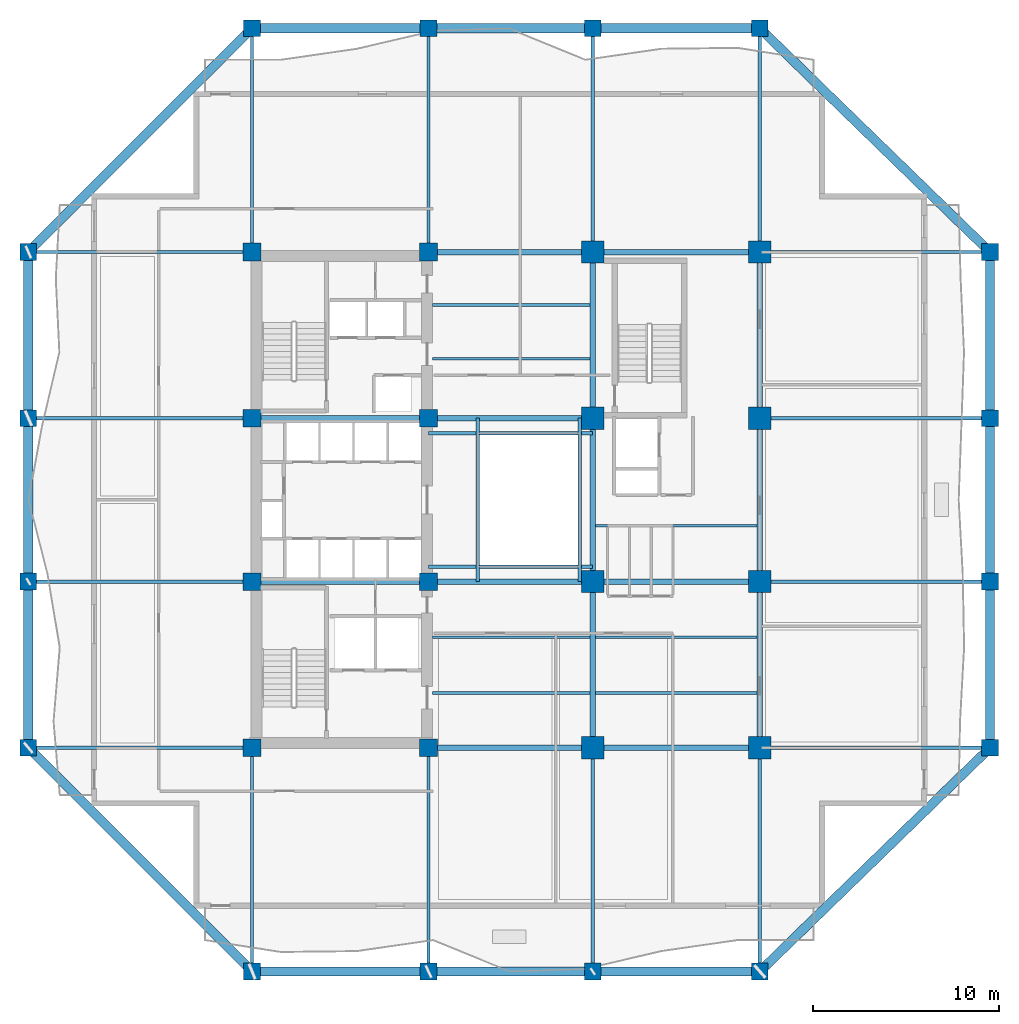
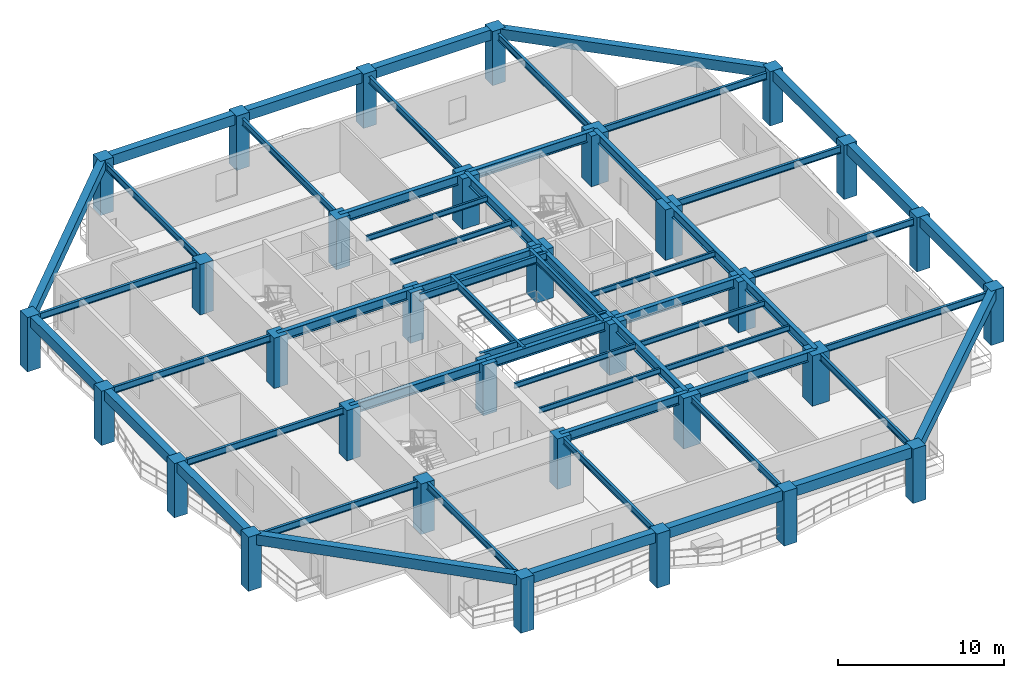
# One storey, part 1 of 12: 58 beams, 32 columns.
"""IFC4 building model written with IfcOpenShell, lengths in metres."""

from ifc_helpers import new_model, si_unit, direction, frame, origin, origin_2d, place, context, subcontext, project, spatial, rectangle, i_section, extrude, material, material_profile, profile_set, type_object, element, save


model = new_model("IFC4")

# Units and contexts
model_context = context("Model", 3, precision=1e-05, world=origin(), true_north=direction((0.0, 1.0)))
body_context = subcontext(model_context, "Body", "Model", "MODEL_VIEW")
ifc_project = project(units=[si_unit("LENGTHUNIT", "METRE"), si_unit("AREAUNIT", "SQUARE_METRE"), si_unit("VOLUMEUNIT", "CUBIC_METRE"), si_unit("PLANEANGLEUNIT", "RADIAN"), si_unit("MASSUNIT", "GRAM", prefix="KILO")], contexts=[model_context])

# Site, building, storey
site_placement = place(None, origin())
site = spatial("IfcSite", under=ifc_project, at=site_placement, CompositionType="ELEMENT")
building_placement = place(site_placement, origin())
building = spatial("IfcBuilding", under=site, at=building_placement, Name="Kundavana Baori Tower", CompositionType="ELEMENT")
storey_placement = place(building_placement, frame((0.0, 0.0, 46.0)))
storey = spatial("IfcBuildingStorey", under=building, at=storey_placement, Name="L10", CompositionType="ELEMENT", Elevation=46.0)

# Columns
ifc_material_1 = material(Name="Concrete C60/75", Category="concrete")
ifc_material_profile_1 = material_profile(ifc_material_1, rectangle(XDim=0.89990234375, YDim=0.89990234375, at=origin_2d()), Name="RC PF 900x900")
ifc_profile_set_1 = profile_set([ifc_material_profile_1], Name="Concrete C60/75")
column_type_1 = type_object("IfcColumnType", Name="COL-PF-900", PredefinedType="COLUMN", material=ifc_profile_set_1)
for number, where, z_axis, x_axis, name in (
    (1, (15.449951171875, 3.199951171875, 0.0), (0.0, 0.0, 1.0), (1.0, 0.0, 0.0), "L10 Stone-Clad Perimeter Frame Column PF-S1"),
    (2, (15.449951171875, 54.0, 0.0), (0.0, 0.0, 1.0), (1.0, 0.0, 0.0), "L10 Stone-Clad Perimeter Frame Column PF-N1"),
    (3, (24.949951171875, 3.199951171875, 0.0), (0.0, 0.0, 1.0), (1.0, 0.0, 0.0), "L10 Stone-Clad Perimeter Frame Column PF-S2"),
    (4, (24.949951171875, 54.0, 0.0), (0.0, 0.0, 1.0), (1.0, 0.0, 0.0), "L10 Stone-Clad Perimeter Frame Column PF-N2"),
    (5, (33.800048828125, 3.199951171875, 0.0), (0.0, 0.0, 1.0), (1.0, 0.0, 0.0), "L10 Stone-Clad Perimeter Frame Column PF-S3"),
    (6, (33.800048828125, 54.0, 0.0), (0.0, 0.0, 1.0), (1.0, 0.0, 0.0), "L10 Stone-Clad Perimeter Frame Column PF-N3"),
    (7, (42.800048828125, 3.199951171875, 0.0), (0.0, 0.0, 1.0), (1.0, 0.0, 0.0), "L10 Stone-Clad Perimeter Frame Column PF-S4"),
    (8, (42.800048828125, 54.0, 0.0), (0.0, 0.0, 1.0), (1.0, 0.0, 0.0), "L10 Stone-Clad Perimeter Frame Column PF-N4"),
    (9, (3.39990234375, 15.25, 0.0), (0.0, 0.0, 1.0), (1.0, 0.0, 0.0), "L10 Stone-Clad Perimeter Frame Column PF-W1"),
    (10, (55.199951171875, 15.25, 0.0), (0.0, 0.0, 1.0), (1.0, 0.0, 0.0), "L10 Stone-Clad Perimeter Frame Column PF-E1"),
    (11, (3.39990234375, 24.199951171875, 0.0), (0.0, 0.0, 1.0), (1.0, 0.0, 0.0), "L10 Stone-Clad Perimeter Frame Column PF-W2"),
    (12, (55.199951171875, 24.199951171875, 0.0), (0.0, 0.0, 1.0), (1.0, 0.0, 0.0), "L10 Stone-Clad Perimeter Frame Column PF-E2"),
    (13, (3.39990234375, 33.0, 0.0), (0.0, 0.0, 1.0), (1.0, 0.0, 0.0), "L10 Stone-Clad Perimeter Frame Column PF-W3"),
    (14, (55.199951171875, 33.0, 0.0), (0.0, 0.0, 1.0), (1.0, 0.0, 0.0), "L10 Stone-Clad Perimeter Frame Column PF-E3"),
    (15, (3.39990234375, 41.949951171875, 0.0), (0.0, 0.0, 1.0), (1.0, 0.0, 0.0), "L10 Stone-Clad Perimeter Frame Column PF-W4"),
    (16, (55.199951171875, 41.949951171875, 0.0), (0.0, 0.0, 1.0), (1.0, 0.0, 0.0), "L10 Stone-Clad Perimeter Frame Column PF-E4"),
):
    element("IfcColumn", number, at=place(storey_placement, frame(where, z_axis=z_axis, x_axis=x_axis)), inside=storey, type_object=column_type_1, Name=name, PredefinedType="COLUMN", context=body_context, shape_type="SweptSolid", body=[
        extrude(rectangle(XDim=0.89990234375, YDim=0.89990234375, at=origin_2d()), origin(), (0.0, 0.0, 1.0), 4.0),
    ])
ifc_material_2 = material(Name="Concrete C60/75", Category="concrete")
ifc_material_profile_2 = material_profile(ifc_material_2, rectangle(XDim=1.199951171875, YDim=1.199951171875, at=origin_2d()), Name="RC 1200x1200")
ifc_profile_set_2 = profile_set([ifc_material_profile_2], Name="Concrete C60/75")
column_type_2 = type_object("IfcColumnType", Name="COL-RC-1200", PredefinedType="COLUMN", material=ifc_profile_set_2)
for number, where, z_axis, x_axis, name in (
    (17, (33.800048828125, 15.25, 0.0), (0.0, 0.0, 1.0), (1.0, 0.0, 0.0), "L10 Interior Column IC-5C"),
    (18, (33.800048828125, 24.199951171875, 0.0), (0.0, 0.0, 1.0), (1.0, 0.0, 0.0), "L10 Interior Column IC-5D"),
    (19, (33.800048828125, 33.0, 0.0), (0.0, 0.0, 1.0), (1.0, 0.0, 0.0), "L10 Interior Column IC-5E"),
    (20, (33.800048828125, 41.949951171875, 0.0), (0.0, 0.0, 1.0), (1.0, 0.0, 0.0), "L10 Interior Column IC-5F"),
    (21, (42.800048828125, 15.25, 0.0), (0.0, 0.0, 1.0), (1.0, 0.0, 0.0), "L10 Interior Column IC-6C"),
    (22, (42.800048828125, 24.199951171875, 0.0), (0.0, 0.0, 1.0), (1.0, 0.0, 0.0), "L10 Interior Column IC-6D"),
    (23, (42.800048828125, 33.0, 0.0), (0.0, 0.0, 1.0), (1.0, 0.0, 0.0), "L10 Interior Column IC-6E"),
    (24, (42.800048828125, 41.949951171875, 0.0), (0.0, 0.0, 1.0), (1.0, 0.0, 0.0), "L10 Interior Column IC-6F"),
):
    element("IfcColumn", number, at=place(storey_placement, frame(where, z_axis=z_axis, x_axis=x_axis)), inside=storey, type_object=column_type_2, Name=name, PredefinedType="COLUMN", context=body_context, shape_type="SweptSolid", body=[
        extrude(rectangle(XDim=1.199951171875, YDim=1.199951171875, at=origin_2d()), origin(), (0.0, 0.0, 1.0), 3.719970703125),
    ])
ifc_material_3 = material(Name="Concrete C50/60", Category="concrete")
ifc_material_profile_3 = material_profile(ifc_material_3, rectangle(XDim=0.949951171875, YDim=0.949951171875, at=origin_2d()), Name="RC 950x950")
ifc_profile_set_3 = profile_set([ifc_material_profile_3], Name="Concrete C50/60")
column_type_3 = type_object("IfcColumnType", Name="COL-RC-950", PredefinedType="COLUMN", material=ifc_profile_set_3)
for number, where, z_axis, x_axis, name in (
    (25, (15.449951171875, 15.25, 0.0), (0.0, 0.0, 1.0), (1.0, 0.0, 0.0), "L10 Interior Column IC-3C"),
    (26, (15.449951171875, 24.199951171875, 0.0), (0.0, 0.0, 1.0), (1.0, 0.0, 0.0), "L10 Interior Column IC-3D"),
    (27, (15.449951171875, 33.0, 0.0), (0.0, 0.0, 1.0), (1.0, 0.0, 0.0), "L10 Interior Column IC-3E"),
    (28, (15.449951171875, 41.949951171875, 0.0), (0.0, 0.0, 1.0), (1.0, 0.0, 0.0), "L10 Interior Column IC-3F"),
    (29, (24.949951171875, 15.25, 0.0), (0.0, 0.0, 1.0), (1.0, 0.0, 0.0), "L10 Interior Column IC-4C"),
    (30, (24.949951171875, 24.199951171875, 0.0), (0.0, 0.0, 1.0), (1.0, 0.0, 0.0), "L10 Interior Column IC-4D"),
    (31, (24.949951171875, 33.0, 0.0), (0.0, 0.0, 1.0), (1.0, 0.0, 0.0), "L10 Interior Column IC-4E"),
    (32, (24.949951171875, 41.949951171875, 0.0), (0.0, 0.0, 1.0), (1.0, 0.0, 0.0), "L10 Interior Column IC-4F"),
):
    element("IfcColumn", number, at=place(storey_placement, frame(where, z_axis=z_axis, x_axis=x_axis)), inside=storey, type_object=column_type_3, Name=name, PredefinedType="COLUMN", context=body_context, shape_type="SweptSolid", body=[
        extrude(rectangle(XDim=0.949951171875, YDim=0.949951171875, at=origin_2d()), origin(), (0.0, 0.0, 1.0), 3.719970703125),
    ])

# Beams
ifc_material_4 = material(Name="Structural Steel S355JR", Category="steel")
ifc_material_profile_4 = material_profile(ifc_material_4, i_section(OverallWidth=0.139892578125, OverallDepth=0.39990234375, WebThickness=0.0087890625, FlangeThickness=0.01611328125, FilletRadius=0.013916015625, at=origin_2d()), Name="ISMB 400")
ifc_profile_set_4 = profile_set([ifc_material_profile_4], Name="Structural Steel S355JR")
beam_type_1 = type_object("IfcBeamType", Name="BM-JST-400", PredefinedType="JOIST", material=ifc_profile_set_4)
for number, where, z_axis, x_axis, name in (
    (33, (25.179931640625, 18.199951171875, 3.52001953125), (1.0, 0.0, 0.0), (0.0, 1.0, 0.0), "L10 Central Bay Composite Floor Joist C1"),
    (34, (25.179931640625, 21.199951171875, 3.52001953125), (1.0, 0.0, 0.0), (0.0, 1.0, 0.0), "L10 Central Bay Composite Floor Joist C2"),
    (35, (25.179931640625, 36.199951171875, 3.52001953125), (1.0, 0.0, 0.0), (0.0, 1.0, 0.0), "L10 Central Bay Composite Floor Joist C3"),
    (36, (25.179931640625, 39.10009765625, 3.52001953125), (1.0, 0.0, 0.0), (0.0, 1.0, 0.0), "L10 Central Bay Composite Floor Joist C4"),
):
    element("IfcBeam", number, at=place(storey_placement, frame(where, z_axis=z_axis, x_axis=x_axis)), inside=storey, type_object=beam_type_1, Name=name, PredefinedType="JOIST", context=body_context, shape_type="SweptSolid", body=[
        extrude(i_section(OverallWidth=0.139892578125, OverallDepth=0.39990234375, WebThickness=0.0087890625, FlangeThickness=0.01611328125, FilletRadius=0.013916015625, at=origin_2d()), origin(), (0.0, 0.0, 1.0), 8.469970703125),
    ])
for number, where, z_axis, x_axis, name in (
    (37, (33.949951171875, 18.199951171875, 3.52001953125), (1.0, 0.0, 0.0), (0.0, 1.0, 0.0), "L10 East Bay Composite Floor Joist E1"),
    (38, (33.949951171875, 21.199951171875, 3.52001953125), (1.0, 0.0, 0.0), (0.0, 1.0, 0.0), "L10 East Bay Composite Floor Joist E2"),
    (39, (33.949951171875, 27.199951171875, 3.52001953125), (1.0, 0.0, 0.0), (0.0, 1.0, 0.0), "L10 East Bay Composite Floor Joist E3"),
):
    element("IfcBeam", number, at=place(storey_placement, frame(where, z_axis=z_axis, x_axis=x_axis)), inside=storey, type_object=beam_type_1, Name=name, PredefinedType="JOIST", context=body_context, shape_type="SweptSolid", body=[
        extrude(i_section(OverallWidth=0.139892578125, OverallDepth=0.39990234375, WebThickness=0.0087890625, FlangeThickness=0.01611328125, FilletRadius=0.013916015625, at=origin_2d()), origin(), (0.0, 0.0, 1.0), 8.699951171875),
    ])
ifc_material_5 = material(Name="Concrete C50/60", Category="concrete")
ifc_material_profile_5 = material_profile(ifc_material_5, rectangle(XDim=0.5, YDim=0.75, at=origin_2d()), Name="RC BM 500x750")
ifc_profile_set_5 = profile_set([ifc_material_profile_5], Name="Concrete C50/60")
beam_type_2 = type_object("IfcBeamType", Name="BM-PF-750", PredefinedType="SPANDREL", material=ifc_profile_set_5)
beam_1_placement = place(storey_placement, frame((15.449951171875, 3.199951171875, 3.625), z_axis=(1.0, 0.0, 0.0), x_axis=(0.0, 1.0, 0.0)))
element("IfcBeam", 40, at=beam_1_placement, inside=storey, type_object=beam_type_2, Name="L10 Perimeter Frame Ring Beam S1", PredefinedType="SPANDREL", context=body_context, shape_type="SweptSolid", body=[
    extrude(rectangle(XDim=0.5, YDim=0.75, at=origin_2d()), origin(), (0.0, 0.0, 1.0), 9.5),
])
beam_2_placement = place(storey_placement, frame((24.949951171875, 3.199951171875, 3.625), z_axis=(1.0, 0.0, 0.0), x_axis=(0.0, 1.0, 0.0)))
element("IfcBeam", 41, at=beam_2_placement, inside=storey, type_object=beam_type_2, Name="L10 Perimeter Frame Ring Beam S2", PredefinedType="SPANDREL", context=body_context, shape_type="SweptSolid", body=[
    extrude(rectangle(XDim=0.5, YDim=0.75, at=origin_2d()), origin(), (0.0, 0.0, 1.0), 8.85009765625),
])
beam_3_placement = place(storey_placement, frame((33.800048828125, 3.199951171875, 3.625), z_axis=(1.0, 0.0, 0.0), x_axis=(0.0, 1.0, 0.0)))
element("IfcBeam", 42, at=beam_3_placement, inside=storey, type_object=beam_type_2, Name="L10 Perimeter Frame Ring Beam S3", PredefinedType="SPANDREL", context=body_context, shape_type="SweptSolid", body=[
    extrude(rectangle(XDim=0.5, YDim=0.75, at=origin_2d()), origin(), (0.0, 0.0, 1.0), 9.0),
])
beam_4_placement = place(storey_placement, frame((15.449951171875, 54.0, 3.625), z_axis=(1.0, 0.0, 0.0), x_axis=(0.0, 1.0, 0.0)))
element("IfcBeam", 43, at=beam_4_placement, inside=storey, type_object=beam_type_2, Name="L10 Perimeter Frame Ring Beam N1", PredefinedType="SPANDREL", context=body_context, shape_type="SweptSolid", body=[
    extrude(rectangle(XDim=0.5, YDim=0.75, at=origin_2d()), origin(), (0.0, 0.0, 1.0), 9.5),
])
beam_5_placement = place(storey_placement, frame((24.949951171875, 54.0, 3.625), z_axis=(1.0, 0.0, 0.0), x_axis=(0.0, 1.0, 0.0)))
element("IfcBeam", 44, at=beam_5_placement, inside=storey, type_object=beam_type_2, Name="L10 Perimeter Frame Ring Beam N2", PredefinedType="SPANDREL", context=body_context, shape_type="SweptSolid", body=[
    extrude(rectangle(XDim=0.5, YDim=0.75, at=origin_2d()), origin(), (0.0, 0.0, 1.0), 8.85009765625),
])
beam_6_placement = place(storey_placement, frame((33.800048828125, 54.0, 3.625), z_axis=(1.0, 0.0, 0.0), x_axis=(0.0, 1.0, 0.0)))
element("IfcBeam", 45, at=beam_6_placement, inside=storey, type_object=beam_type_2, Name="L10 Perimeter Frame Ring Beam N3", PredefinedType="SPANDREL", context=body_context, shape_type="SweptSolid", body=[
    extrude(rectangle(XDim=0.5, YDim=0.75, at=origin_2d()), origin(), (0.0, 0.0, 1.0), 9.0),
])
beam_7_placement = place(storey_placement, frame((3.39990234375, 15.25, 3.625), z_axis=(0.0, 1.0, 0.0), x_axis=(-1.0, 0.0, 0.0)))
element("IfcBeam", 46, at=beam_7_placement, inside=storey, type_object=beam_type_2, Name="L10 Perimeter Frame Ring Beam W1", PredefinedType="SPANDREL", context=body_context, shape_type="SweptSolid", body=[
    extrude(rectangle(XDim=0.5, YDim=0.75, at=origin_2d()), origin(), (0.0, 0.0, 1.0), 8.949951171875),
])
beam_8_placement = place(storey_placement, frame((3.39990234375, 24.199951171875, 3.625), z_axis=(0.0, 1.0, 0.0), x_axis=(-1.0, 0.0, 0.0)))
element("IfcBeam", 47, at=beam_8_placement, inside=storey, type_object=beam_type_2, Name="L10 Perimeter Frame Ring Beam W2", PredefinedType="SPANDREL", context=body_context, shape_type="SweptSolid", body=[
    extrude(rectangle(XDim=0.5, YDim=0.75, at=origin_2d()), origin(), (0.0, 0.0, 1.0), 8.800048828125),
])
for number, where, z_axis, x_axis, name in (
    (48, (3.39990234375, 33.0, 3.625), (0.0, 1.0, 0.0), (-1.0, 0.0, 0.0), "L10 Perimeter Frame Ring Beam W3"),
    (49, (55.199951171875, 15.25, 3.625), (0.0, 1.0, 0.0), (-1.0, 0.0, 0.0), "L10 Perimeter Frame Ring Beam E1"),
):
    element("IfcBeam", number, at=place(storey_placement, frame(where, z_axis=z_axis, x_axis=x_axis)), inside=storey, type_object=beam_type_2, Name=name, PredefinedType="SPANDREL", context=body_context, shape_type="SweptSolid", body=[
        extrude(rectangle(XDim=0.5, YDim=0.75, at=origin_2d()), origin(), (0.0, 0.0, 1.0), 8.949951171875),
    ])
beam_9_placement = place(storey_placement, frame((55.199951171875, 24.199951171875, 3.625), z_axis=(0.0, 1.0, 0.0), x_axis=(-1.0, 0.0, 0.0)))
element("IfcBeam", 50, at=beam_9_placement, inside=storey, type_object=beam_type_2, Name="L10 Perimeter Frame Ring Beam E2", PredefinedType="SPANDREL", context=body_context, shape_type="SweptSolid", body=[
    extrude(rectangle(XDim=0.5, YDim=0.75, at=origin_2d()), origin(), (0.0, 0.0, 1.0), 8.800048828125),
])
beam_10_placement = place(storey_placement, frame((55.199951171875, 33.0, 3.625), z_axis=(0.0, 1.0, 0.0), x_axis=(-1.0, 0.0, 0.0)))
element("IfcBeam", 51, at=beam_10_placement, inside=storey, type_object=beam_type_2, Name="L10 Perimeter Frame Ring Beam E3", PredefinedType="SPANDREL", context=body_context, shape_type="SweptSolid", body=[
    extrude(rectangle(XDim=0.5, YDim=0.75, at=origin_2d()), origin(), (0.0, 0.0, 1.0), 8.949951171875),
])
beam_11_placement = place(storey_placement, frame((15.449951171875, 3.199951171875, 3.625), z_axis=(-0.707106781187, 0.707106781187, 0.0), x_axis=(-0.707106781187, -0.707106781187, 0.0)))
element("IfcBeam", 52, at=beam_11_placement, inside=storey, type_object=beam_type_2, Name="L10 Notched Corner Perimeter Beam SW", PredefinedType="SPANDREL", context=body_context, shape_type="SweptSolid", body=[
    extrude(rectangle(XDim=0.5, YDim=0.75, at=origin_2d()), origin(), (0.0, 0.0, 1.0), 17.041259765625),
])
beam_12_placement = place(storey_placement, frame((42.800048828125, 3.199951171875, 3.625), z_axis=(0.717151334594, 0.696917472367, 0.0), x_axis=(-0.696917472367, 0.717151334594, 0.0)))
element("IfcBeam", 53, at=beam_12_placement, inside=storey, type_object=beam_type_2, Name="L10 Notched Corner Perimeter Beam SE", PredefinedType="SPANDREL", context=body_context, shape_type="SweptSolid", body=[
    extrude(rectangle(XDim=0.5, YDim=0.75, at=origin_2d()), origin(), (0.0, 0.0, 1.0), 17.29052734375),
])
beam_13_placement = place(storey_placement, frame((15.449951171875, 54.0, 3.625), z_axis=(-0.707106781187, -0.707106781187, 0.0), x_axis=(0.707106781187, -0.707106781187, 0.0)))
element("IfcBeam", 54, at=beam_13_placement, inside=storey, type_object=beam_type_2, Name="L10 Notched Corner Perimeter Beam NW", PredefinedType="SPANDREL", context=body_context, shape_type="SweptSolid", body=[
    extrude(rectangle(XDim=0.5, YDim=0.75, at=origin_2d()), origin(), (0.0, 0.0, 1.0), 17.041259765625),
])
beam_14_placement = place(storey_placement, frame((42.800048828125, 54.0, 3.625), z_axis=(0.717151334594, -0.696917472367, 0.0), x_axis=(0.696917472367, 0.717151334594, 0.0)))
element("IfcBeam", 55, at=beam_14_placement, inside=storey, type_object=beam_type_2, Name="L10 Notched Corner Perimeter Beam NE", PredefinedType="SPANDREL", context=body_context, shape_type="SweptSolid", body=[
    extrude(rectangle(XDim=0.5, YDim=0.75, at=origin_2d()), origin(), (0.0, 0.0, 1.0), 17.29052734375),
])
ifc_material_6 = material(Name="Structural Steel S355JR", Category="steel")
ifc_material_profile_6 = material_profile(ifc_material_6, i_section(OverallWidth=0.18994140625, OverallDepth=0.550048828125, WebThickness=0.01123046875, FlangeThickness=0.019287109375, FilletRadius=0.01806640625, at=origin_2d()), Name="ISMB 550")
ifc_profile_set_6 = profile_set([ifc_material_profile_6], Name="Structural Steel S355JR")
beam_type_3 = type_object("IfcBeamType", Name="BM-ST-550", PredefinedType="BEAM", material=ifc_profile_set_6)
for number, where, z_axis, x_axis, name in (
    (56, (27.60009765625, 24.199951171875, 3.445068359375), (0.0, 1.0, 0.0), (-1.0, 0.0, 0.0), "L10 Atrium West Edge Beam"),
    (57, (33.10009765625, 24.199951171875, 3.445068359375), (0.0, 1.0, 0.0), (-1.0, 0.0, 0.0), "L10 Atrium East Edge Beam"),
):
    element("IfcBeam", number, at=place(storey_placement, frame(where, z_axis=z_axis, x_axis=x_axis)), inside=storey, type_object=beam_type_3, Name=name, PredefinedType="BEAM", context=body_context, shape_type="SweptSolid", body=[
        extrude(i_section(OverallWidth=0.18994140625, OverallDepth=0.550048828125, WebThickness=0.01123046875, FlangeThickness=0.019287109375, FilletRadius=0.01806640625, at=origin_2d()), origin(), (0.0, 0.0, 1.0), 8.800048828125),
    ])
for number, where, z_axis, x_axis, name in (
    (58, (24.949951171875, 25.0, 3.445068359375), (1.0, 0.0, 0.0), (0.0, 1.0, 0.0), "L10 Atrium South Edge Beam"),
    (59, (24.949951171875, 32.199951171875, 3.445068359375), (1.0, 0.0, 0.0), (0.0, 1.0, 0.0), "L10 Atrium North Edge Beam"),
):
    element("IfcBeam", number, at=place(storey_placement, frame(where, z_axis=z_axis, x_axis=x_axis)), inside=storey, type_object=beam_type_3, Name=name, PredefinedType="BEAM", context=body_context, shape_type="SweptSolid", body=[
        extrude(i_section(OverallWidth=0.18994140625, OverallDepth=0.550048828125, WebThickness=0.01123046875, FlangeThickness=0.019287109375, FilletRadius=0.01806640625, at=origin_2d()), origin(), (0.0, 0.0, 1.0), 8.85009765625),
    ])
ifc_material_7 = material(Name="Structural Steel S355JR", Category="steel")
ifc_material_profile_7 = material_profile(ifc_material_7, i_section(OverallWidth=0.300048828125, OverallDepth=0.699951171875, WebThickness=0.014404296875, FlangeThickness=0.02392578125, FilletRadius=0.02392578125, at=origin_2d()), Name="NPB 700x300x170")
ifc_profile_set_7 = profile_set([ifc_material_profile_7], Name="Structural Steel S355JR")
beam_type_4 = type_object("IfcBeamType", Name="BM-ST-700", PredefinedType="BEAM", material=ifc_profile_set_7)
beam_15_placement = place(storey_placement, frame((24.949951171875, 15.25, 3.3701171875), z_axis=(1.0, 0.0, 0.0), x_axis=(0.0, 1.0, 0.0)))
element("IfcBeam", 60, at=beam_15_placement, inside=storey, type_object=beam_type_4, Name="L10 Primary Grid Girder GX-1-2", PredefinedType="BEAM", context=body_context, shape_type="SweptSolid", body=[
    extrude(i_section(OverallWidth=0.300048828125, OverallDepth=0.699951171875, WebThickness=0.014404296875, FlangeThickness=0.02392578125, FilletRadius=0.02392578125, at=origin_2d()), origin(), (0.0, 0.0, 1.0), 8.85009765625),
])
beam_16_placement = place(storey_placement, frame((33.800048828125, 15.25, 3.3701171875), z_axis=(1.0, 0.0, 0.0), x_axis=(0.0, 1.0, 0.0)))
element("IfcBeam", 61, at=beam_16_placement, inside=storey, type_object=beam_type_4, Name="L10 Primary Grid Girder GX-1-3", PredefinedType="BEAM", context=body_context, shape_type="SweptSolid", body=[
    extrude(i_section(OverallWidth=0.300048828125, OverallDepth=0.699951171875, WebThickness=0.014404296875, FlangeThickness=0.02392578125, FilletRadius=0.02392578125, at=origin_2d()), origin(), (0.0, 0.0, 1.0), 9.0),
])
beam_17_placement = place(storey_placement, frame((15.449951171875, 24.199951171875, 3.3701171875), z_axis=(1.0, 0.0, 0.0), x_axis=(0.0, 1.0, 0.0)))
element("IfcBeam", 62, at=beam_17_placement, inside=storey, type_object=beam_type_4, Name="L10 Primary Grid Girder GX-2-1", PredefinedType="BEAM", context=body_context, shape_type="SweptSolid", body=[
    extrude(i_section(OverallWidth=0.300048828125, OverallDepth=0.699951171875, WebThickness=0.014404296875, FlangeThickness=0.02392578125, FilletRadius=0.02392578125, at=origin_2d()), origin(), (0.0, 0.0, 1.0), 9.5),
])
beam_18_placement = place(storey_placement, frame((24.949951171875, 24.199951171875, 3.3701171875), z_axis=(1.0, 0.0, 0.0), x_axis=(0.0, 1.0, 0.0)))
element("IfcBeam", 63, at=beam_18_placement, inside=storey, type_object=beam_type_4, Name="L10 Primary Grid Girder GX-2-2", PredefinedType="BEAM", context=body_context, shape_type="SweptSolid", body=[
    extrude(i_section(OverallWidth=0.300048828125, OverallDepth=0.699951171875, WebThickness=0.014404296875, FlangeThickness=0.02392578125, FilletRadius=0.02392578125, at=origin_2d()), origin(), (0.0, 0.0, 1.0), 8.85009765625),
])
beam_19_placement = place(storey_placement, frame((33.800048828125, 24.199951171875, 3.3701171875), z_axis=(1.0, 0.0, 0.0), x_axis=(0.0, 1.0, 0.0)))
element("IfcBeam", 64, at=beam_19_placement, inside=storey, type_object=beam_type_4, Name="L10 Primary Grid Girder GX-2-3", PredefinedType="BEAM", context=body_context, shape_type="SweptSolid", body=[
    extrude(i_section(OverallWidth=0.300048828125, OverallDepth=0.699951171875, WebThickness=0.014404296875, FlangeThickness=0.02392578125, FilletRadius=0.02392578125, at=origin_2d()), origin(), (0.0, 0.0, 1.0), 9.0),
])
beam_20_placement = place(storey_placement, frame((15.449951171875, 33.0, 3.3701171875), z_axis=(1.0, 0.0, 0.0), x_axis=(0.0, 1.0, 0.0)))
element("IfcBeam", 65, at=beam_20_placement, inside=storey, type_object=beam_type_4, Name="L10 Primary Grid Girder GX-3-1", PredefinedType="BEAM", context=body_context, shape_type="SweptSolid", body=[
    extrude(i_section(OverallWidth=0.300048828125, OverallDepth=0.699951171875, WebThickness=0.014404296875, FlangeThickness=0.02392578125, FilletRadius=0.02392578125, at=origin_2d()), origin(), (0.0, 0.0, 1.0), 9.5),
])
for number, where, z_axis, x_axis, name in (
    (66, (24.949951171875, 33.0, 3.3701171875), (1.0, 0.0, 0.0), (0.0, 1.0, 0.0), "L10 Primary Grid Girder GX-3-2"),
    (67, (24.949951171875, 41.949951171875, 3.3701171875), (1.0, 0.0, 0.0), (0.0, 1.0, 0.0), "L10 Primary Grid Girder GX-4-2"),
):
    element("IfcBeam", number, at=place(storey_placement, frame(where, z_axis=z_axis, x_axis=x_axis)), inside=storey, type_object=beam_type_4, Name=name, PredefinedType="BEAM", context=body_context, shape_type="SweptSolid", body=[
        extrude(i_section(OverallWidth=0.300048828125, OverallDepth=0.699951171875, WebThickness=0.014404296875, FlangeThickness=0.02392578125, FilletRadius=0.02392578125, at=origin_2d()), origin(), (0.0, 0.0, 1.0), 8.85009765625),
    ])
beam_21_placement = place(storey_placement, frame((33.800048828125, 41.949951171875, 3.3701171875), z_axis=(1.0, 0.0, 0.0), x_axis=(0.0, 1.0, 0.0)))
element("IfcBeam", 68, at=beam_21_placement, inside=storey, type_object=beam_type_4, Name="L10 Primary Grid Girder GX-4-3", PredefinedType="BEAM", context=body_context, shape_type="SweptSolid", body=[
    extrude(i_section(OverallWidth=0.300048828125, OverallDepth=0.699951171875, WebThickness=0.014404296875, FlangeThickness=0.02392578125, FilletRadius=0.02392578125, at=origin_2d()), origin(), (0.0, 0.0, 1.0), 9.0),
])
beam_22_placement = place(storey_placement, frame((33.800048828125, 15.25, 3.3701171875), z_axis=(0.0, 1.0, 0.0), x_axis=(-1.0, 0.0, 0.0)))
element("IfcBeam", 69, at=beam_22_placement, inside=storey, type_object=beam_type_4, Name="L10 Primary Grid Girder GY-3-1", PredefinedType="BEAM", context=body_context, shape_type="SweptSolid", body=[
    extrude(i_section(OverallWidth=0.300048828125, OverallDepth=0.699951171875, WebThickness=0.014404296875, FlangeThickness=0.02392578125, FilletRadius=0.02392578125, at=origin_2d()), origin(), (0.0, 0.0, 1.0), 8.949951171875),
])
beam_23_placement = place(storey_placement, frame((33.800048828125, 24.199951171875, 3.3701171875), z_axis=(0.0, 1.0, 0.0), x_axis=(-1.0, 0.0, 0.0)))
element("IfcBeam", 70, at=beam_23_placement, inside=storey, type_object=beam_type_4, Name="L10 Primary Grid Girder GY-3-2", PredefinedType="BEAM", context=body_context, shape_type="SweptSolid", body=[
    extrude(i_section(OverallWidth=0.300048828125, OverallDepth=0.699951171875, WebThickness=0.014404296875, FlangeThickness=0.02392578125, FilletRadius=0.02392578125, at=origin_2d()), origin(), (0.0, 0.0, 1.0), 8.800048828125),
])
for number, where, z_axis, x_axis, name in (
    (71, (33.800048828125, 33.0, 3.3701171875), (0.0, 1.0, 0.0), (-1.0, 0.0, 0.0), "L10 Primary Grid Girder GY-3-3"),
    (72, (42.800048828125, 15.25, 3.3701171875), (0.0, 1.0, 0.0), (-1.0, 0.0, 0.0), "L10 Primary Grid Girder GY-4-1"),
):
    element("IfcBeam", number, at=place(storey_placement, frame(where, z_axis=z_axis, x_axis=x_axis)), inside=storey, type_object=beam_type_4, Name=name, PredefinedType="BEAM", context=body_context, shape_type="SweptSolid", body=[
        extrude(i_section(OverallWidth=0.300048828125, OverallDepth=0.699951171875, WebThickness=0.014404296875, FlangeThickness=0.02392578125, FilletRadius=0.02392578125, at=origin_2d()), origin(), (0.0, 0.0, 1.0), 8.949951171875),
    ])
beam_24_placement = place(storey_placement, frame((42.800048828125, 24.199951171875, 3.3701171875), z_axis=(0.0, 1.0, 0.0), x_axis=(-1.0, 0.0, 0.0)))
element("IfcBeam", 73, at=beam_24_placement, inside=storey, type_object=beam_type_4, Name="L10 Primary Grid Girder GY-4-2", PredefinedType="BEAM", context=body_context, shape_type="SweptSolid", body=[
    extrude(i_section(OverallWidth=0.300048828125, OverallDepth=0.699951171875, WebThickness=0.014404296875, FlangeThickness=0.02392578125, FilletRadius=0.02392578125, at=origin_2d()), origin(), (0.0, 0.0, 1.0), 8.800048828125),
])
beam_25_placement = place(storey_placement, frame((42.800048828125, 33.0, 3.3701171875), z_axis=(0.0, 1.0, 0.0), x_axis=(-1.0, 0.0, 0.0)))
element("IfcBeam", 74, at=beam_25_placement, inside=storey, type_object=beam_type_4, Name="L10 Primary Grid Girder GY-4-3", PredefinedType="BEAM", context=body_context, shape_type="SweptSolid", body=[
    extrude(i_section(OverallWidth=0.300048828125, OverallDepth=0.699951171875, WebThickness=0.014404296875, FlangeThickness=0.02392578125, FilletRadius=0.02392578125, at=origin_2d()), origin(), (0.0, 0.0, 1.0), 8.949951171875),
])
ifc_material_8 = material(Name="Structural Steel S355JR", Category="steel")
ifc_material_profile_8 = material_profile(ifc_material_8, i_section(OverallWidth=0.179931640625, OverallDepth=0.5, WebThickness=0.01025390625, FlangeThickness=0.01708984375, FilletRadius=0.01708984375, at=origin_2d()), Name="ISMB 500")
ifc_profile_set_8 = profile_set([ifc_material_profile_8], Name="Structural Steel S355JR")
beam_type_5 = type_object("IfcBeamType", Name="BM-TIE-500", PredefinedType="BEAM", material=ifc_profile_set_8)
for number, where, z_axis, x_axis, name in (
    (75, (15.449951171875, 15.25, 3.469970703125), (0.0, -1.0, 0.0), (1.0, 0.0, 0.0), "L10 South Radial Loggia Tie Beam S1"),
    (76, (15.449951171875, 41.949951171875, 3.469970703125), (0.0, 1.0, 0.0), (-1.0, 0.0, 0.0), "L10 North Radial Loggia Tie Beam N1"),
    (77, (24.949951171875, 15.25, 3.469970703125), (0.0, -1.0, 0.0), (1.0, 0.0, 0.0), "L10 South Radial Loggia Tie Beam S2"),
    (78, (24.949951171875, 41.949951171875, 3.469970703125), (0.0, 1.0, 0.0), (-1.0, 0.0, 0.0), "L10 North Radial Loggia Tie Beam N2"),
    (79, (33.800048828125, 15.25, 3.469970703125), (0.0, -1.0, 0.0), (1.0, 0.0, 0.0), "L10 South Radial Loggia Tie Beam S3"),
    (80, (33.800048828125, 41.949951171875, 3.469970703125), (0.0, 1.0, 0.0), (-1.0, 0.0, 0.0), "L10 North Radial Loggia Tie Beam N3"),
    (81, (42.800048828125, 15.25, 3.469970703125), (0.0, -1.0, 0.0), (1.0, 0.0, 0.0), "L10 South Radial Loggia Tie Beam S4"),
    (82, (42.800048828125, 41.949951171875, 3.469970703125), (0.0, 1.0, 0.0), (-1.0, 0.0, 0.0), "L10 North Radial Loggia Tie Beam N4"),
    (83, (15.449951171875, 15.25, 3.469970703125), (-1.0, 0.0, 0.0), (0.0, -1.0, 0.0), "L10 West Radial Loggia Tie Beam W1"),
):
    element("IfcBeam", number, at=place(storey_placement, frame(where, z_axis=z_axis, x_axis=x_axis)), inside=storey, type_object=beam_type_5, Name=name, PredefinedType="BEAM", context=body_context, shape_type="SweptSolid", body=[
        extrude(i_section(OverallWidth=0.179931640625, OverallDepth=0.5, WebThickness=0.01025390625, FlangeThickness=0.01708984375, FilletRadius=0.01708984375, at=origin_2d()), origin(), (0.0, 0.0, 1.0), 12.050048828125),
    ])
beam_26_placement = place(storey_placement, frame((42.800048828125, 15.25, 3.469970703125), z_axis=(1.0, 0.0, 0.0), x_axis=(0.0, 1.0, 0.0)))
element("IfcBeam", 84, at=beam_26_placement, inside=storey, type_object=beam_type_5, Name="L10 East Radial Loggia Tie Beam E1", PredefinedType="BEAM", context=body_context, shape_type="SweptSolid", body=[
    extrude(i_section(OverallWidth=0.179931640625, OverallDepth=0.5, WebThickness=0.01025390625, FlangeThickness=0.01708984375, FilletRadius=0.01708984375, at=origin_2d()), origin(), (0.0, 0.0, 1.0), 12.39990234375),
])
beam_27_placement = place(storey_placement, frame((15.449951171875, 24.199951171875, 3.469970703125), z_axis=(-1.0, 0.0, 0.0), x_axis=(0.0, -1.0, 0.0)))
element("IfcBeam", 85, at=beam_27_placement, inside=storey, type_object=beam_type_5, Name="L10 West Radial Loggia Tie Beam W2", PredefinedType="BEAM", context=body_context, shape_type="SweptSolid", body=[
    extrude(i_section(OverallWidth=0.179931640625, OverallDepth=0.5, WebThickness=0.01025390625, FlangeThickness=0.01708984375, FilletRadius=0.01708984375, at=origin_2d()), origin(), (0.0, 0.0, 1.0), 12.050048828125),
])
beam_28_placement = place(storey_placement, frame((42.800048828125, 24.199951171875, 3.469970703125), z_axis=(1.0, 0.0, 0.0), x_axis=(0.0, 1.0, 0.0)))
element("IfcBeam", 86, at=beam_28_placement, inside=storey, type_object=beam_type_5, Name="L10 East Radial Loggia Tie Beam E2", PredefinedType="BEAM", context=body_context, shape_type="SweptSolid", body=[
    extrude(i_section(OverallWidth=0.179931640625, OverallDepth=0.5, WebThickness=0.01025390625, FlangeThickness=0.01708984375, FilletRadius=0.01708984375, at=origin_2d()), origin(), (0.0, 0.0, 1.0), 12.39990234375),
])
beam_29_placement = place(storey_placement, frame((15.449951171875, 33.0, 3.469970703125), z_axis=(-1.0, 0.0, 0.0), x_axis=(0.0, -1.0, 0.0)))
element("IfcBeam", 87, at=beam_29_placement, inside=storey, type_object=beam_type_5, Name="L10 West Radial Loggia Tie Beam W3", PredefinedType="BEAM", context=body_context, shape_type="SweptSolid", body=[
    extrude(i_section(OverallWidth=0.179931640625, OverallDepth=0.5, WebThickness=0.01025390625, FlangeThickness=0.01708984375, FilletRadius=0.01708984375, at=origin_2d()), origin(), (0.0, 0.0, 1.0), 12.050048828125),
])
beam_30_placement = place(storey_placement, frame((42.800048828125, 33.0, 3.469970703125), z_axis=(1.0, 0.0, 0.0), x_axis=(0.0, 1.0, 0.0)))
element("IfcBeam", 88, at=beam_30_placement, inside=storey, type_object=beam_type_5, Name="L10 East Radial Loggia Tie Beam E3", PredefinedType="BEAM", context=body_context, shape_type="SweptSolid", body=[
    extrude(i_section(OverallWidth=0.179931640625, OverallDepth=0.5, WebThickness=0.01025390625, FlangeThickness=0.01708984375, FilletRadius=0.01708984375, at=origin_2d()), origin(), (0.0, 0.0, 1.0), 12.39990234375),
])
beam_31_placement = place(storey_placement, frame((15.449951171875, 41.949951171875, 3.469970703125), z_axis=(-1.0, 0.0, 0.0), x_axis=(0.0, -1.0, 0.0)))
element("IfcBeam", 89, at=beam_31_placement, inside=storey, type_object=beam_type_5, Name="L10 West Radial Loggia Tie Beam W4", PredefinedType="BEAM", context=body_context, shape_type="SweptSolid", body=[
    extrude(i_section(OverallWidth=0.179931640625, OverallDepth=0.5, WebThickness=0.01025390625, FlangeThickness=0.01708984375, FilletRadius=0.01708984375, at=origin_2d()), origin(), (0.0, 0.0, 1.0), 12.050048828125),
])
beam_32_placement = place(storey_placement, frame((42.800048828125, 41.949951171875, 3.469970703125), z_axis=(1.0, 0.0, 0.0), x_axis=(0.0, 1.0, 0.0)))
element("IfcBeam", 90, at=beam_32_placement, inside=storey, type_object=beam_type_5, Name="L10 East Radial Loggia Tie Beam E4", PredefinedType="BEAM", context=body_context, shape_type="SweptSolid", body=[
    extrude(i_section(OverallWidth=0.179931640625, OverallDepth=0.5, WebThickness=0.01025390625, FlangeThickness=0.01708984375, FilletRadius=0.01708984375, at=origin_2d()), origin(), (0.0, 0.0, 1.0), 12.39990234375),
])

save(model, "model.ifc")
